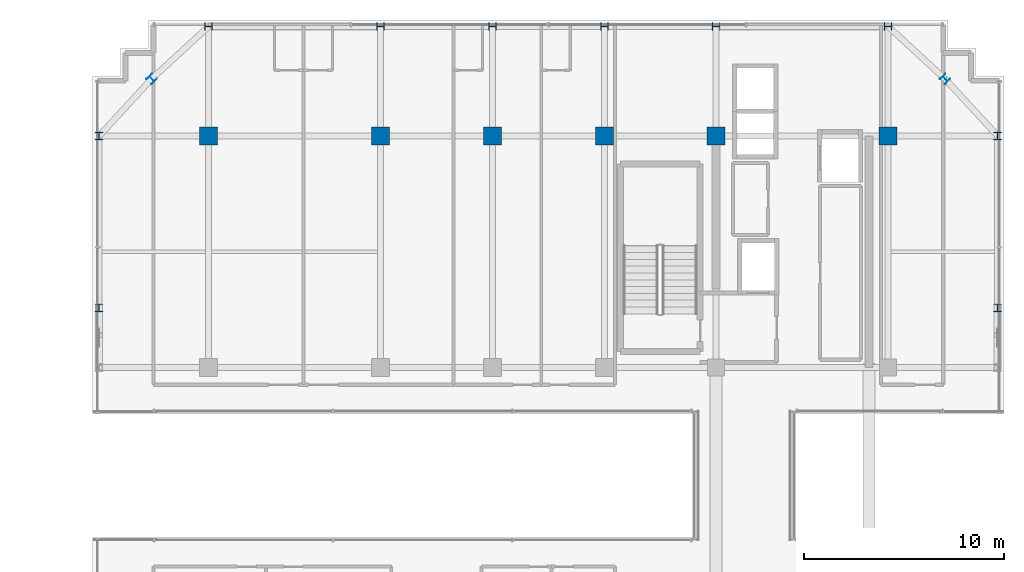
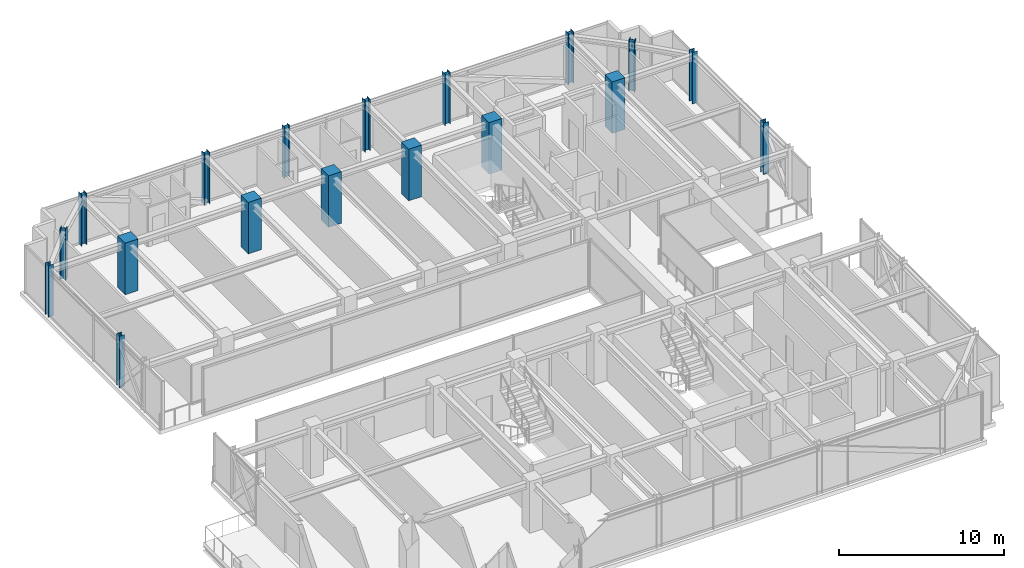
# One storey, part 3 of 37: 18 columns.
"""IFC4 building model written with IfcOpenShell, lengths in metres."""

import ifcopenshell
import ifcopenshell.guid

model = None  # the IFC model being written
_history = None  # IfcOwnerHistory: only IFC2X3 demands one
_inside = {}  # id of a spatial element -> (the spatial element, [elements in it])
_under = {}  # id of a project, library or spatial element -> (it, [spatial elements below it])
_declared = {}  # id of a project -> (the project, [libraries it declares])
_typed = {}  # id of a type object -> (the type object, [elements of that type])
_made_of = {}  # id of a material, layer set ... -> (it, [elements and type objects made of it])


def new_model(schema):
    """Start an empty IFC model of exactly this schema.

    Asked for "IFC4X3", IfcOpenShell would pick the latest addendum, in which some entities
    have other attributes; the version numbers below select the first issue.
    IFC2X3 requires an IfcOwnerHistory on every rooted entity: one is made here for all.
    """
    global model, _history
    if schema == "IFC4X3":
        model = ifcopenshell.file(schema_version=(4, 3, 0, 0))
    else:
        model = ifcopenshell.file(schema=schema)
    _inside.clear()
    _under.clear()
    _declared.clear()
    _typed.clear()
    _made_of.clear()
    _history = None
    if model.schema == "IFC2X3":
        org = make("IfcOrganization", Name="unknown")
        user = make(
            "IfcPersonAndOrganization",
            ThePerson=make("IfcPerson", FamilyName="unknown"),
            TheOrganization=org,
        )
        app = make(
            "IfcApplication",
            ApplicationDeveloper=org,
            Version="unknown",
            ApplicationFullName="unknown",
            ApplicationIdentifier="unknown",
        )
        _history = make(
            "IfcOwnerHistory",
            OwningUser=user,
            OwningApplication=app,
            ChangeAction="ADDED",
            CreationDate=0,
        )
    return model


def make(cls, **values):
    """One entity of the class cls with the attributes given. An attribute that is None is left unset."""
    return model.create_entity(
        cls, **{name: value for name, value in values.items() if value is not None}
    )


def rooted(cls, **values):
    """An entity with a GlobalId (a new one), such as an element, a storey or a relation."""
    return make(cls, GlobalId=ifcopenshell.guid.new(), OwnerHistory=_history, **values)


def si_unit(unit_type, name, prefix=None):
    """IfcSIUnit, for example si_unit("LENGTHUNIT", "METRE", prefix="MILLI")."""
    return make("IfcSIUnit", UnitType=unit_type, Prefix=prefix, Name=name)


def assignment(units):
    """IfcUnitAssignment: the units of a project."""
    return None if units is None else make("IfcUnitAssignment", Units=units)


def point(xyz):
    """IfcCartesianPoint."""
    return None if xyz is None else make("IfcCartesianPoint", Coordinates=xyz)


def direction(xyz):
    """IfcDirection."""
    return None if xyz is None else make("IfcDirection", DirectionRatios=xyz)


def frame(location, z_axis=None, x_axis=None):
    """IfcAxis2Placement3D, a coordinate frame: its origin and axes. An axis left out is left unset."""
    return make(
        "IfcAxis2Placement3D",
        Location=point(location),
        Axis=direction(z_axis),
        RefDirection=direction(x_axis),
    )


def frame_2d(location, x_axis=None):
    """IfcAxis2Placement2D, a coordinate frame in the plane: its origin and x axis."""
    return make(
        "IfcAxis2Placement2D", Location=point(location), RefDirection=direction(x_axis)
    )


def origin():
    """The frame at (0, 0, 0) with its axes left unset."""
    return frame((0.0, 0.0, 0.0))


def origin_2d():
    """The frame at (0, 0) in the plane with its x axis left unset."""
    return frame_2d((0.0, 0.0))


def place(relative_to, where):
    """IfcLocalPlacement: puts the frame where relative to a parent placement (None: the world)."""
    return make(
        "IfcLocalPlacement", PlacementRelTo=relative_to, RelativePlacement=where
    )


def context(
    kind, dimensions, precision=None, world=None, true_north=None, identifier=None
):
    """IfcGeometricRepresentationContext, for example the 3D "Model" context."""
    return make(
        "IfcGeometricRepresentationContext",
        ContextIdentifier=identifier,
        ContextType=kind,
        CoordinateSpaceDimension=dimensions,
        Precision=precision,
        WorldCoordinateSystem=world,
        TrueNorth=true_north,
    )


def subcontext(parent, identifier, kind, view, scale=None):
    """IfcGeometricRepresentationSubContext, for example "Body" below "Model"."""
    return make(
        "IfcGeometricRepresentationSubContext",
        ContextIdentifier=identifier,
        ContextType=kind,
        ParentContext=parent,
        TargetScale=scale,
        TargetView=view,
    )


def project(units=None, contexts=None):
    """IfcProject with its units and contexts."""
    return rooted(
        "IfcProject",
        Name="project",
        RepresentationContexts=contexts,
        UnitsInContext=assignment(units),
    )


def spatial(cls, under=None, at=None, **own):
    """A site, building, storey or space (cls), placed at a placement, below another one or the project."""
    s = rooted(cls, ObjectPlacement=at, **own)
    if under is not None:
        _under.setdefault(under.id(), (under, []))[1].append(s)
    return s


def profile(cls, at=None, kind="AREA", **sizes):
    """A parametric profile (cls). Its sizes go by their IFC names, for example OverallWidth=200.0."""
    return make(cls, ProfileType=kind, Position=at, **sizes)


def rectangle(**sizes):
    """IfcRectangleProfileDef."""
    return profile("IfcRectangleProfileDef", **sizes)


def i_section(**sizes):
    """IfcIShapeProfileDef."""
    return profile("IfcIShapeProfileDef", **sizes)


def extrude(swept, where, along, depth):
    """IfcExtrudedAreaSolid: the profile swept, set in the frame where, extruded along a direction by depth."""
    return make(
        "IfcExtrudedAreaSolid",
        SweptArea=swept,
        Position=where,
        ExtrudedDirection=direction(along),
        Depth=depth,
    )


def shape(context_of_items, identifier, shape_type, items):
    """IfcShapeRepresentation: the items that make up one representation, for example the "Body"."""
    return make(
        "IfcShapeRepresentation",
        ContextOfItems=context_of_items,
        RepresentationIdentifier=identifier,
        RepresentationType=shape_type,
        Items=items,
    )


def source(mapping_origin, context_of_items, identifier, shape_type, items):
    """IfcRepresentationMap: a shape defined once, which mapped items show again and again."""
    return make(
        "IfcRepresentationMap",
        MappingOrigin=mapping_origin,
        MappedRepresentation=shape(context_of_items, identifier, shape_type, items),
    )


def transform(
    local_origin,
    x_axis=None,
    y_axis=None,
    z_axis=None,
    scale=None,
    scale2=None,
    scale3=None,
    uniform=True,
):
    """IfcCartesianTransformationOperator3D, or its non-uniform kind. x_axis, y_axis, z_axis: its Axis1, 2, 3."""
    if uniform:
        return make(
            "IfcCartesianTransformationOperator3D",
            Axis1=direction(x_axis),
            Axis2=direction(y_axis),
            LocalOrigin=point(local_origin),
            Scale=scale,
            Axis3=direction(z_axis),
        )
    return make(
        "IfcCartesianTransformationOperator3DnonUniform",
        Axis1=direction(x_axis),
        Axis2=direction(y_axis),
        LocalOrigin=point(local_origin),
        Scale=scale,
        Axis3=direction(z_axis),
        Scale2=scale2,
        Scale3=scale3,
    )


def mapped(mapping_source, mapping_target):
    """IfcMappedItem: shows the shape of a source again, moved by a transform."""
    return make(
        "IfcMappedItem", MappingSource=mapping_source, MappingTarget=mapping_target
    )


def material(Name=None, Category=None):
    """IfcMaterial."""
    return make("IfcMaterial", Name=Name, Category=Category)


def material_profile(
    of_material, cross_section, Name=None, Category=None, Priority=None
):
    """IfcMaterialProfile: a cross section and its material."""
    return make(
        "IfcMaterialProfile",
        Name=Name,
        Material=of_material,
        Profile=cross_section,
        Priority=Priority,
        Category=Category,
    )


def profile_set(profiles, Name=None, composite=None):
    """IfcMaterialProfileSet."""
    return make(
        "IfcMaterialProfileSet",
        Name=Name,
        MaterialProfiles=profiles,
        CompositeProfile=composite,
    )


def made_of(thing, what):
    """Note that an element or type object is made of a material, layer set ...; save() writes the relation."""
    if what is not None:
        _made_of.setdefault(what.id(), (what, []))[1].append(thing)
    return thing


def type_object(cls, material=None, **own):
    """A type object (cls), such as IfcWallType, which elements share."""
    return made_of(rooted(cls, **own), material)


def element(
    cls,
    number,
    at=None,
    inside=None,
    cuts=None,
    type_object=None,
    material=None,
    context=None,
    identifier="Body",
    shape_type=None,
    held_by="IfcProductDefinitionShape",
    body=None,
    shapes=None,
    **own,
):
    """One element of the class cls, such as IfcWall. Its Tag is "e" and its number.

    at: its placement. inside: the storey or other place that contains it. cuts: it is an
    opening in that element (IfcRelVoidsElement). A single representation is given by context,
    identifier, shape_type and body (its items); several are given by shapes. held_by: the class
    of the entity that holds the representations. save() writes the other relations.
    """
    e = rooted(cls, Tag="e%d" % number, ObjectPlacement=at, **own)
    if body is not None:
        shapes = [shape(context, identifier, shape_type, body)]
    if shapes is not None:
        e.Representation = make(held_by, Representations=shapes)
    if inside is not None:
        _inside.setdefault(inside.id(), (inside, []))[1].append(e)
    if cuts is not None:
        rooted(
            "IfcRelVoidsElement", RelatingBuildingElement=cuts, RelatedOpeningElement=e
        )
    if type_object is not None:
        _typed.setdefault(type_object.id(), (type_object, []))[1].append(e)
    return made_of(e, material)


def aggregate(whole, parts):
    """IfcRelAggregates: a whole, such as a stair, and the parts it consists of."""
    return rooted("IfcRelAggregates", RelatingObject=whole, RelatedObjects=parts)


def save(model, path):
    """Write the relations noted so far, then the file.

    IfcRelAggregates (storeys below a building ...), IfcRelContainedInSpatialStructure (elements
    in a storey), IfcRelDefinesByType, IfcRelAssociatesMaterial and IfcRelDeclares: one each for
    every whole, place, type object, material and project.
    """
    for whole, parts in _under.values():
        aggregate(whole, parts)
    for where, things in _inside.values():
        rooted(
            "IfcRelContainedInSpatialStructure",
            RelatedElements=things,
            RelatingStructure=where,
        )
    for kind, things in _typed.values():
        rooted("IfcRelDefinesByType", RelatedObjects=things, RelatingType=kind)
    for what, things in _made_of.values():
        rooted("IfcRelAssociatesMaterial", RelatedObjects=things, RelatingMaterial=what)
    for by, libraries in _declared.values():
        rooted("IfcRelDeclares", RelatingContext=by, RelatedDefinitions=libraries)
    model.write(path)


model = new_model("IFC4")

# Units and contexts
model_context = context("Model", 3, precision=1e-05, world=origin(), true_north=direction((0.0, 1.0)))
body_context = subcontext(model_context, "Body", "Model", "MODEL_VIEW")
ifc_project = project(units=[si_unit("LENGTHUNIT", "METRE"), si_unit("AREAUNIT", "SQUARE_METRE"), si_unit("VOLUMEUNIT", "CUBIC_METRE"), si_unit("PLANEANGLEUNIT", "RADIAN"), si_unit("MASSUNIT", "GRAM", prefix="KILO")], contexts=[model_context])

# Site, building, storey
site_placement = place(None, origin())
site = spatial("IfcSite", under=ifc_project, at=site_placement, CompositionType="ELEMENT")
building_placement = place(site_placement, origin())
building = spatial("IfcBuilding", under=site, at=building_placement, Name="Nahalor Promenade Grand Hotel", CompositionType="ELEMENT")
storey_placement = place(building_placement, frame((0.0, 0.0, 308.050048828125)))
storey = spatial("IfcBuildingStorey", under=building, at=storey_placement, Name="L79", CompositionType="ELEMENT", Elevation=308.050048828125)

# Columns
ifc_material_1 = material(Name="Concrete B-50 (C40/50)", Category="concrete")
ifc_material_profile_1 = material_profile(ifc_material_1, rectangle(XDim=0.9, YDim=0.9, at=origin_2d()), Name="RC 900x900")
ifc_profile_set_1 = profile_set([ifc_material_profile_1], Name="Concrete B-50 (C40/50)")
column_type_1 = type_object("IfcColumnType", Name="Col-RC-900", PredefinedType="COLUMN", material=ifc_profile_set_1)
shared_shape_1 = source(origin(), body_context, "Body", "SweptSolid", [
    extrude(rectangle(XDim=0.9, YDim=0.9, at=origin_2d()), origin(), (0.0, 0.0, 1.0), 3.804931640625),
])
for number, where, z_axis, x_axis, name in (
    (1, (-17.0, 17.0, 0.0), (0.0, 0.0, 1.0), (1.0, 0.0, 0.0), "COL-L79-I03"),
    (2, (-8.39990234375, 17.0, 0.0), (0.0, 0.0, 1.0), (1.0, 0.0, 0.0), "COL-L79-I13"),
    (3, (-2.800048828125, 17.0, 0.0), (0.0, 0.0, 1.0), (1.0, 0.0, 0.0), "COL-L79-I23"),
    (4, (2.800048828125, 17.0, 0.0), (0.0, 0.0, 1.0), (1.0, 0.0, 0.0), "COL-L79-I33"),
    (5, (8.39990234375, 17.0, 0.0), (0.0, 0.0, 1.0), (1.0, 0.0, 0.0), "COL-L79-I43"),
    (6, (17.0, 17.0, 0.0), (0.0, 0.0, 1.0), (1.0, 0.0, 0.0), "COL-L79-I53"),
):
    element("IfcColumn", number, at=place(storey_placement, frame(where, z_axis=z_axis, x_axis=x_axis)), inside=storey, type_object=column_type_1, Name=name, PredefinedType="COLUMN", context=body_context, shape_type="MappedRepresentation", body=[
        mapped(shared_shape_1, transform((0.0, 0.0, 0.0), scale=1.0)),
    ])
ifc_material_2 = material(Name="Steel S355JR", Category="steel")
ifc_material_profile_2 = material_profile(ifc_material_2, i_section(OverallWidth=0.374, OverallDepth=0.374, WebThickness=0.0144, FlangeThickness=0.0229, at=origin_2d()), Name="HD 360x262")
ifc_profile_set_2 = profile_set([ifc_material_profile_2], Name="Steel S355JR")
column_type_2 = type_object("IfcColumnType", Name="Col-Steel-HD262", PredefinedType="COLUMN", material=ifc_profile_set_2)
shared_shape_2 = source(origin(), body_context, "Body", "SweptSolid", [
    extrude(i_section(OverallWidth=0.374, OverallDepth=0.374, WebThickness=0.0144, FlangeThickness=0.0229, at=origin_2d()), origin(), (0.0, 0.0, 1.0), 3.804931640625),
])
for number, where, z_axis, x_axis, name in (
    (7, (-22.47998046875, 8.39990234375, 0.0), (0.0, 0.0, 1.0), (1.0, 0.0, 0.0), "COL-L79-PW-W4"),
    (8, (22.47998046875, 8.39990234375, 0.0), (0.0, 0.0, 1.0), (1.0, 0.0, 0.0), "COL-L79-PW-E4"),
    (9, (-22.47998046875, 17.0, 0.0), (0.0, 0.0, 1.0), (1.0, 0.0, 0.0), "COL-L79-PW-W5"),
    (10, (22.47998046875, 17.0, 0.0), (0.0, 0.0, 1.0), (1.0, 0.0, 0.0), "COL-L79-PW-E5"),
    (11, (-17.0, 22.47998046875, 0.0), (0.0, 0.0, 1.0), (0.0, 1.0, 0.0), "COL-L79-PN-N0"),
    (12, (-8.39990234375, 22.47998046875, 0.0), (0.0, 0.0, 1.0), (0.0, 1.0, 0.0), "COL-L79-PN-N1"),
    (13, (-2.800048828125, 22.47998046875, 0.0), (0.0, 0.0, 1.0), (0.0, 1.0, 0.0), "COL-L79-PN-N2"),
    (14, (2.800048828125, 22.47998046875, 0.0), (0.0, 0.0, 1.0), (0.0, 1.0, 0.0), "COL-L79-PN-N3"),
    (15, (8.39990234375, 22.47998046875, 0.0), (0.0, 0.0, 1.0), (0.0, 1.0, 0.0), "COL-L79-PN-N4"),
    (16, (17.0, 22.47998046875, 0.0), (0.0, 0.0, 1.0), (0.0, 1.0, 0.0), "COL-L79-PN-N5"),
    (17, (-19.85009765625, 19.85009765625, 0.0), (0.0, 0.0, 1.0), (0.707106781187, 0.707106781187, 0.0), "COL-L79-CRN-NW"),
    (18, (19.85009765625, 19.85009765625, 0.0), (0.0, 0.0, 1.0), (0.707106781187, 0.707106781187, 0.0), "COL-L79-CRN-NE"),
):
    element("IfcColumn", number, at=place(storey_placement, frame(where, z_axis=z_axis, x_axis=x_axis)), inside=storey, type_object=column_type_2, Name=name, PredefinedType="COLUMN", context=body_context, shape_type="MappedRepresentation", body=[
        mapped(shared_shape_2, transform((0.0, 0.0, 0.0), scale=1.0)),
    ])

save(model, "model.ifc")
